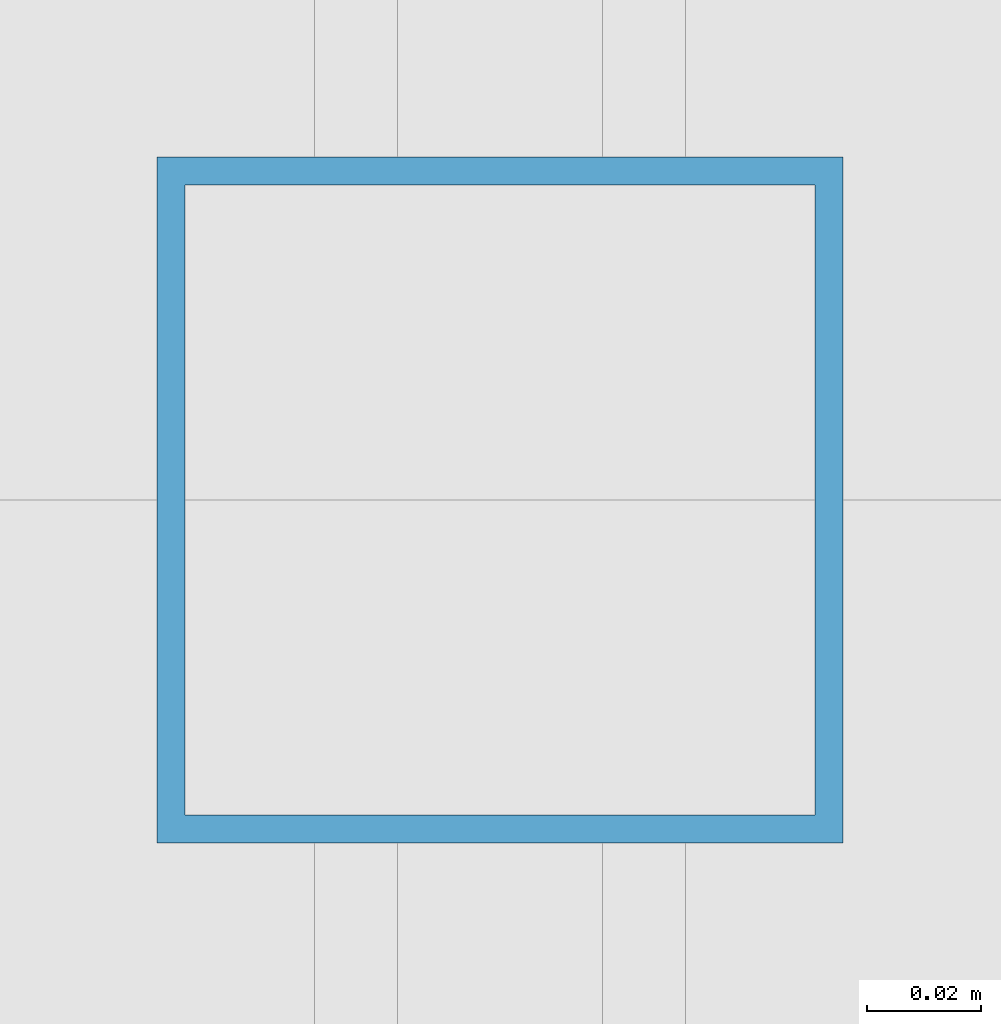
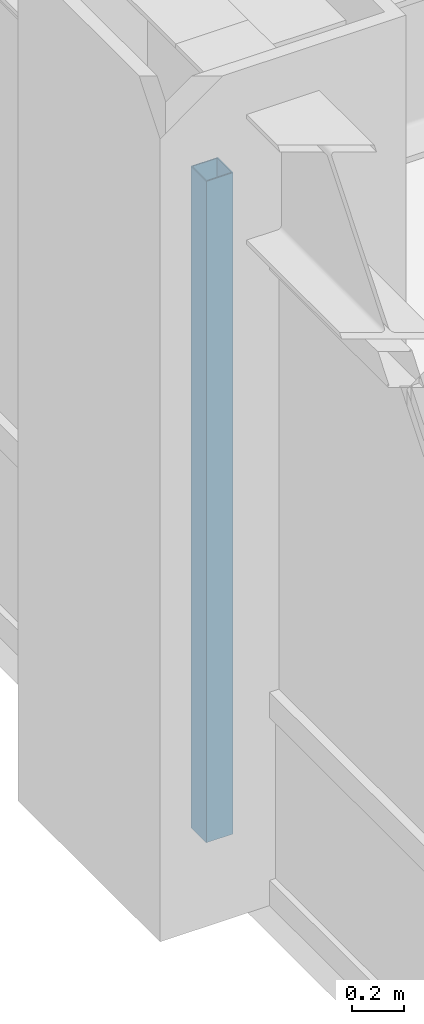
# One storey, part 6 of 28: 1 member, 1 element without a shape of its own.
"""IFC4 building model written with IfcOpenShell, lengths in metres."""

from ifc_helpers import new_model, si_unit, direction, frame, origin, origin_2d, place, context, subcontext, project, spatial, hollow_rectangle, extrude, source, transform, mapped, material, material_profile, profile_set, type_object, element, aggregate, save


model = new_model("IFC4")

# Units and contexts
model_context = context("Model", 3, precision=1e-05, world=origin(), true_north=direction((0.0, 1.0)))
body_context = subcontext(model_context, "Body", "Model", "MODEL_VIEW")
ifc_project = project(units=[si_unit("LENGTHUNIT", "METRE"), si_unit("AREAUNIT", "SQUARE_METRE"), si_unit("VOLUMEUNIT", "CUBIC_METRE"), si_unit("PLANEANGLEUNIT", "RADIAN"), si_unit("MASSUNIT", "GRAM", prefix="KILO")], contexts=[model_context])

# Site, building, storey
site_placement = place(None, origin())
site = spatial("IfcSite", under=ifc_project, at=site_placement, CompositionType="ELEMENT")
building_placement = place(site_placement, origin())
building = spatial("IfcBuilding", under=site, at=building_placement, Name="Khorayat Bourse Tower", CompositionType="ELEMENT")
storey_placement = place(building_placement, frame((0.0, 0.0, 191.10009765625)))
storey = spatial("IfcBuildingStorey", under=building, at=storey_placement, Name="L44", CompositionType="ELEMENT", Elevation=191.10009765625)

# Curtain wall, member
ifc_material = material(Name="Aluminium EN AW-6063 T6", Category="aluminium")
curtain_wall_type = type_object("IfcCurtainWallType", Name="CW-SYS-03", PredefinedType="NOTDEFINED", material=ifc_material)
curtain_wall_placement = place(storey_placement, origin())
curtain_wall = element("IfcCurtainWall", 1, at=curtain_wall_placement, inside=storey, type_object=curtain_wall_type, Name="L44 Curtain Wall CW-L44-W1", PredefinedType="NOTDEFINED")
ifc_material_profile = material_profile(ifc_material, hollow_rectangle(XDim=0.1201171875, YDim=0.1201171875, WallThickness=0.0048828125, at=origin_2d()), Name="ALU 120x120x5")
ifc_profile_set = profile_set([ifc_material_profile], Name="Aluminium EN AW-6063 T6")
member_type = type_object("IfcMemberType", Name="CWM-VERT-120", PredefinedType="MULLION", material=ifc_profile_set)
shared_shape = source(origin(), body_context, "Body", "SweptSolid", [
    extrude(hollow_rectangle(XDim=0.1201171875, YDim=0.1201171875, WallThickness=0.0048828125, at=origin_2d()), origin(), (0.0, 0.0, 1.0), 3.1298828125),
])
member_placement = place(storey_placement, frame((-30.0, 0.0, 0.0), z_axis=(0.0, 0.0, 1.0), x_axis=(-1.0, 0.0, 0.0)))
member = element("IfcMember", 2, at=member_placement, type_object=member_type, Name="CW-L44-W1 Vertical Mullion 2", PredefinedType="MULLION", context=body_context, shape_type="MappedRepresentation", body=[
    mapped(shared_shape, transform((0.0, 0.0, 0.0), scale=1.0)),
])
aggregate(curtain_wall, [member])

save(model, "model.ifc")
